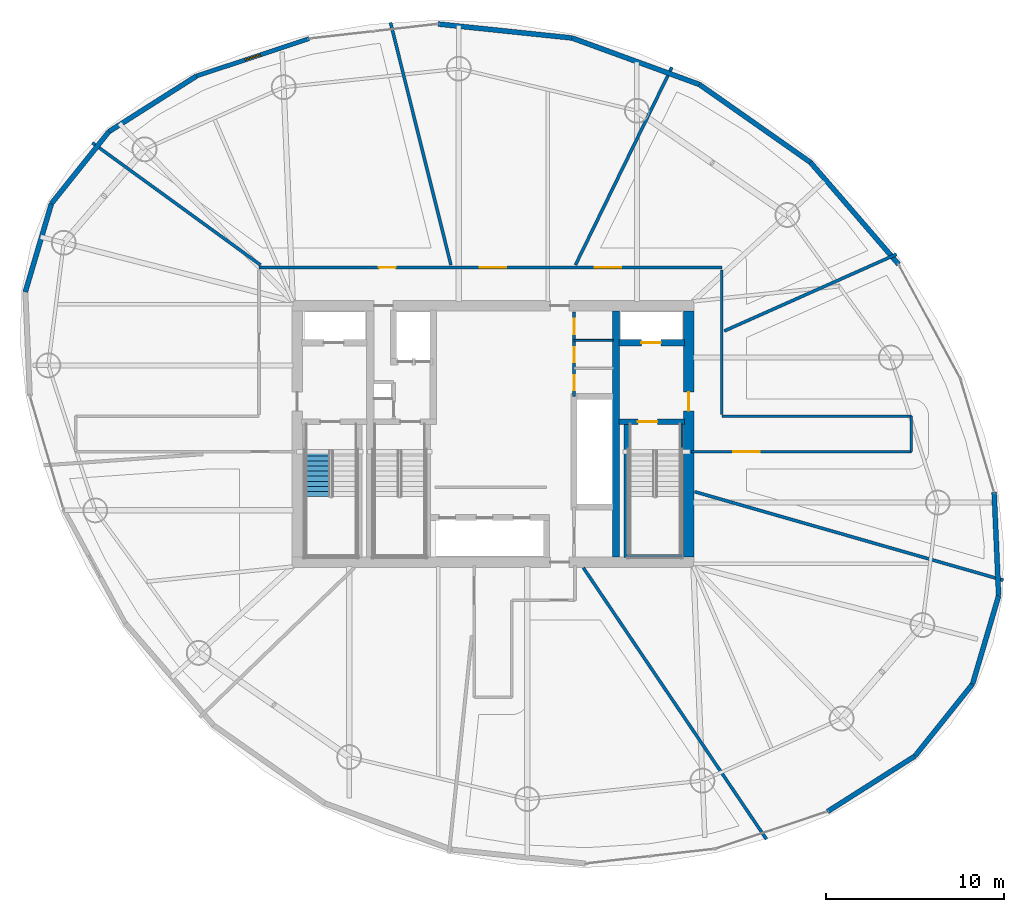
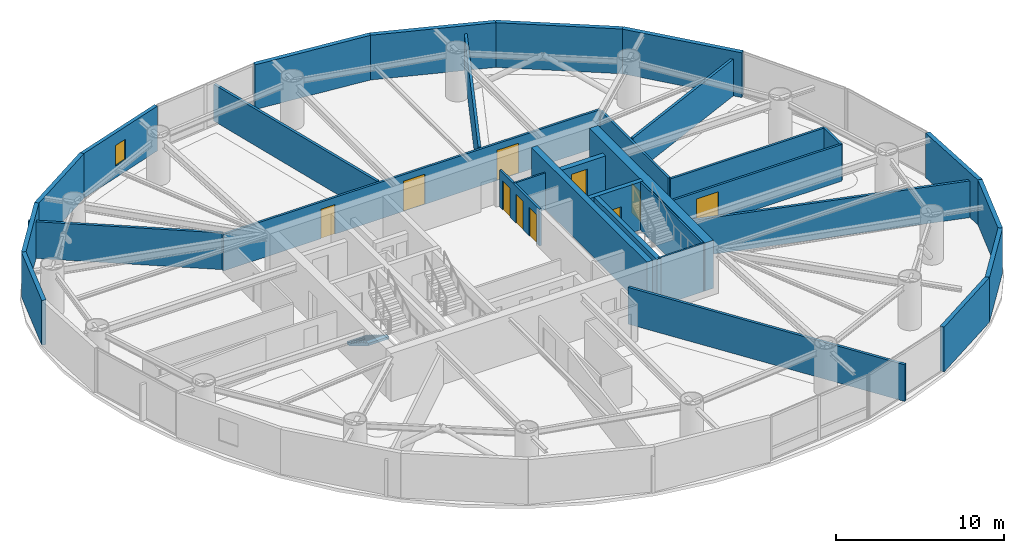
# One storey, part 18 of 22: 32 walls, 10 doors, 1 stair flight, 1 window, 11 openings, 1 element without a shape of its own.
"""IFC4 building model written with IfcOpenShell, lengths in metres."""

from ifc_helpers import new_model, si_unit, direction, frame, frame_2d, origin, place, context, subcontext, project, spatial, polyline, rectangle, outline, extrude, material, layer, layer_set, type_object, element, fill, aggregate, save


model = new_model("IFC4")

# Units and contexts
model_context = context("Model", 3, precision=1e-05, world=origin(), true_north=direction((0.0, 1.0)))
body_context = subcontext(model_context, "Body", "Model", "MODEL_VIEW")
ifc_project = project(units=[si_unit("LENGTHUNIT", "METRE"), si_unit("AREAUNIT", "SQUARE_METRE"), si_unit("VOLUMEUNIT", "CUBIC_METRE"), si_unit("PLANEANGLEUNIT", "RADIAN"), si_unit("MASSUNIT", "GRAM", prefix="KILO")], contexts=[model_context])

# Site, building, storey
site_placement = place(None, origin())
site = spatial("IfcSite", under=ifc_project, at=site_placement, CompositionType="ELEMENT")
building_placement = place(site_placement, origin())
building = spatial("IfcBuilding", under=site, at=building_placement, Name="Bramvorn Convention Spire", CompositionType="ELEMENT")
storey_placement = place(building_placement, frame((0.0, 0.0, 141.300048828125)))
storey = spatial("IfcBuildingStorey", under=building, at=storey_placement, Name="L35", CompositionType="ELEMENT", Elevation=141.300048828125)

# Wall, opening, door
ifc_material_1 = material(Name="Concrete C60/70", Category="concrete")
ifc_layer_1 = layer(ifc_material_1, 0.60009765625)
ifc_layer_set_1 = layer_set([ifc_layer_1], Name="Concrete C60/70 - WL-CORE-600")
wall_type_1 = type_object("IfcWallType", Name="WL-CORE-600", PredefinedType="SHEAR", material=ifc_layer_set_1)
wall_1_placement = place(storey_placement, frame((49.0, 19.10009765625, 0.0), z_axis=(0.0, 0.0, 1.0), x_axis=(0.0, 1.0, 0.0)))
wall_1 = element("IfcWall", 1, at=wall_1_placement, inside=storey, type_object=wall_type_1, Name="L35 East RC core shear wall", PredefinedType="SHEAR", context=body_context, shape_type="SweptSolid", body=[
    extrude(rectangle(XDim=13.7998046875, YDim=0.60009765625, at=frame_2d((6.89990234375, 0.0))), origin(), (0.0, 0.0, 1.0), 3.5),
])
opening_1_placement = place(wall_1_placement, frame((8.199951171875, 0.0, 0.0)))
opening_1 = element("IfcOpeningElement", 2, at=opening_1_placement, cuts=wall_1, Name="Opening DL-105", PredefinedType="OPENING", context=body_context, shape_type="SweptSolid", body=[
    extrude(rectangle(XDim=1.050048828125, YDim=2.14990234375, at=frame_2d((0.52490234375, 1.074951171875))), frame((0.0, 0.31005859375, 0.0), z_axis=(0.0, -1.0, 0.0), x_axis=(1.0, 0.0, 0.0)), (0.0, 0.0, 1.0), 0.6201171875),
])
ifc_material_2 = material(Name="Smoke-Sealed Fire Lobby Timber-Core Door", Category="wood")
door_type_1 = type_object("IfcDoorType", Name="DR-LOBBY-1050", OperationType="NOTDEFINED", PredefinedType="DOOR", material=ifc_material_2)
door_1_placement = place(opening_1_placement, origin())
door_1 = element("IfcDoor", 3, at=door_1_placement, inside=storey, type_object=door_type_1, Name="L35 East Firefighting Lobby corridor door", OperationType="SINGLE_SWING_LEFT", OverallHeight=2.14990234375, OverallWidth=1.050048828125, PredefinedType="DOOR", context=body_context, shape_type="SweptSolid", body=[
    extrude(rectangle(XDim=1.050048828125, YDim=2.14990234375, at=frame_2d((0.52490234375, 1.074951171875))), frame((0.0, 0.02490234375, 0.0), z_axis=(0.0, -1.0, 0.0), x_axis=(1.0, 0.0, 0.0)), (0.0, 0.0, 1.0), 0.050048828125),
])
fill(opening_1, door_1)

ifc_material_3 = material(Name="Concrete C50/60", Category="concrete")
ifc_layer_2 = layer(ifc_material_3, 0.35009765625)
ifc_layer_set_2 = layer_set([ifc_layer_2], Name="Concrete C50/60 - WL-CORE-INT-350")
wall_type_2 = type_object("IfcWallType", Name="WL-CORE-INT-350", PredefinedType="SHEAR", material=ifc_layer_set_2)
wall_2_placement = place(storey_placement, frame((45.080078125, 31.1201171875, 0.0), z_axis=(0.0, 0.0, 1.0), x_axis=(1.0, 0.0, 0.0)))
wall_2 = element("IfcWall", 4, at=wall_2_placement, inside=storey, type_object=wall_type_2, Name="L35 FE2 shaft front wall", PredefinedType="SHEAR", context=body_context, shape_type="SweptSolid", body=[
    extrude(rectangle(XDim=3.669921875, YDim=0.35009765625, at=frame_2d((1.8349609375, 0.0))), origin(), (0.0, 0.0, 1.0), 2.675048828125),
])
opening_2_placement = place(wall_2_placement, frame((1.25, 0.0, 0.0)))
opening_2 = element("IfcOpeningElement", 5, at=opening_2_placement, cuts=wall_2, Name="Opening LD-110", PredefinedType="OPENING", context=body_context, shape_type="SweptSolid", body=[
    extrude(rectangle(XDim=1.10009765625, YDim=2.14990234375, at=frame_2d((0.550048828125, 1.074951171875))), frame((0.0, 0.18505859375, 0.0), z_axis=(0.0, -1.0, 0.0), x_axis=(1.0, 0.0, 0.0)), (0.0, 0.0, 1.0), 0.3701171875),
])
ifc_material_4 = material(Name="Firefighting & Service Lift Sliding Landing Door", Category="steel")
door_type_2 = type_object("IfcDoorType", Name="DR-LIFT-LD-1100", OperationType="NOTDEFINED", PredefinedType="DOOR", material=ifc_material_4)
door_2_placement = place(opening_2_placement, origin())
door_2 = element("IfcDoor", 6, at=door_2_placement, inside=storey, type_object=door_type_2, Name="L35 Lift FE2 Sliding Landing Door", OperationType="SLIDING_TO_LEFT", OverallHeight=2.14990234375, OverallWidth=1.10009765625, PredefinedType="DOOR", context=body_context, shape_type="SweptSolid", body=[
    extrude(rectangle(XDim=1.10009765625, YDim=2.14990234375, at=frame_2d((0.550048828125, 1.074951171875))), frame((0.0, 0.02490234375, 0.0), z_axis=(0.0, -1.0, 0.0), x_axis=(1.0, 0.0, 0.0)), (0.0, 0.0, 1.0), 0.050048828125),
])
fill(opening_2, door_2)

# Walls
ifc_layer_3 = layer(ifc_material_1, 0.39990234375)
ifc_layer_set_3 = layer_set([ifc_layer_3], Name="Concrete C60/70 - WL-CORE-INT-400")
wall_type_3 = type_object("IfcWallType", Name="WL-CORE-INT-400", PredefinedType="SHEAR", material=ifc_layer_set_3)
wall_3_placement = place(storey_placement, frame((44.89990234375, 19.10009765625, 0.0), z_axis=(0.0, 0.0, 1.0), x_axis=(0.0, 1.0, 0.0)))
element("IfcWall", 7, at=wall_3_placement, inside=storey, type_object=wall_type_3, Name="L35 East internal core shear web", PredefinedType="SHEAR", context=body_context, shape_type="SweptSolid", body=[
    extrude(rectangle(XDim=13.7998046875, YDim=0.39990234375, at=frame_2d((6.89990234375, 0.0))), origin(), (0.0, 0.0, 1.0), 3.5),
])
ifc_material_5 = material(Name="Precast Concrete C40/50 with Bronze Terracotta Rainscreen", Category="masonry")
ifc_layer_4 = layer(ifc_material_5, 0.300048828125)
ifc_layer_set_4 = layer_set([ifc_layer_4], Name="Precast Concrete C40/50 with Bronze Terracotta Rainscreen - WL-EXT-BRONZE-300")
wall_type_4 = type_object("IfcWallType", Name="WL-EXT-BRONZE-300", PredefinedType="SOLIDWALL", material=ifc_layer_set_4)
wall_4_placement = place(storey_placement, frame((66.402099609375, 16.91064453125, 0.0), z_axis=(0.0, 0.0, 1.0), x_axis=(-0.283514780362, -0.958967866676, 0.0)))
element("IfcWall", 8, at=wall_4_placement, inside=storey, type_object=wall_type_4, Name="L35 expressed bronze Gothic lancet pier wall 01", PredefinedType="SOLIDWALL", context=body_context, shape_type="SweptSolid", body=[
    extrude(rectangle(XDim=5.174560546875, YDim=0.280029296875, at=frame_2d((2.58740234375, 0.0))), origin(), (0.0, 0.0, 1.0), 3.260009765625),
])
wall_5_placement = place(storey_placement, frame((66.14892578125, 22.727783203125, 0.0), z_axis=(0.0, 0.0, 1.0), x_axis=(0.043480894207, -0.999054258706, 0.0)))
element("IfcWall", 9, at=wall_5_placement, inside=storey, type_object=wall_type_4, Name="L35 expressed bronze Gothic lancet pier wall 02", PredefinedType="SOLIDWALL", context=body_context, shape_type="SweptSolid", body=[
    extrude(rectangle(XDim=5.82275390625, YDim=0.280029296875, at=frame_2d((2.911376953125, 0.0))), origin(), (0.0, 0.0, 1.0), 3.260009765625),
])
wall_6_placement = place(storey_placement, frame((55.830078125, 41.25537109375, 0.0), z_axis=(0.0, 0.0, 1.0), x_axis=(0.654081612585, -0.756423984336, 0.0)))
element("IfcWall", 10, at=wall_6_placement, inside=storey, type_object=wall_type_4, Name="L35 expressed bronze Gothic lancet pier wall 05", PredefinedType="SOLIDWALL", context=body_context, shape_type="SweptSolid", body=[
    extrude(rectangle(XDim=7.5693359375, YDim=0.280029296875, at=frame_2d((3.78466796875, 0.0))), origin(), (0.0, 0.0, 1.0), 3.260009765625),
])
for number, where, z_axis, x_axis, name in (
    (11, (49.593994140625, 45.6298828125, 0.0), (0.0, 0.0, 1.0), (0.81866084744, -0.574277299629, 0.0), "L35 expressed bronze Gothic lancet pier wall 06"),
    (12, (42.438232421875, 48.24169921875, 0.0), (0.0, 0.0, 1.0), (0.939382883035, -0.342869944821, 0.0), "L35 expressed bronze Gothic lancet pier wall 07"),
):
    element("IfcWall", number, at=place(storey_placement, frame(where, z_axis=z_axis, x_axis=x_axis)), inside=storey, type_object=wall_type_4, Name=name, PredefinedType="SOLIDWALL", context=body_context, shape_type="SweptSolid", body=[
        extrude(rectangle(XDim=7.617431640625, YDim=0.280029296875, at=frame_2d((3.80859375, 0.0))), origin(), (0.0, 0.0, 1.0), 3.260009765625),
    ])
wall_7_placement = place(storey_placement, frame((34.909912109375, 49.0263671875, 0.0), z_axis=(0.0, 0.0, 1.0), x_axis=(0.994612036357, -0.103667242342, 0.0)))
element("IfcWall", 13, at=wall_7_placement, inside=storey, type_object=wall_type_4, Name="L35 expressed bronze Gothic lancet pier wall 08", PredefinedType="SOLIDWALL", context=body_context, shape_type="SweptSolid", body=[
    extrude(rectangle(XDim=7.569091796875, YDim=0.280029296875, at=frame_2d((3.78466796875, 0.0))), origin(), (0.0, 0.0, 1.0), 3.260009765625),
])

# Wall, opening, window
wall_8_placement = place(storey_placement, frame((21.3388671875, 46.104248046875, 0.0), z_axis=(0.0, 0.0, 1.0), x_axis=(0.949074506759, 0.315051711024, 0.0)))
wall_8 = element("IfcWall", 14, at=wall_8_placement, inside=storey, type_object=wall_type_4, Name="L35 bronze ceramic-frit spandrel & operable window bay 10", PredefinedType="SOLIDWALL", context=body_context, shape_type="SweptSolid", body=[
    extrude(rectangle(XDim=6.6650390625, YDim=0.239990234375, at=frame_2d((3.33251953125, 0.0))), origin(), (0.0, 0.0, 1.0), 3.260009765625),
])
opening_3_placement = place(wall_8_placement, frame((2.882568359375, 0.0, 0.85009765625)))
opening_3 = element("IfcOpeningElement", 15, at=opening_3_placement, cuts=wall_8, Name="Opening WN06", PredefinedType="OPENING", context=body_context, shape_type="SweptSolid", body=[
    extrude(rectangle(XDim=0.89990234375, YDim=1.5, at=frame_2d((0.449951171875, 0.75))), frame((0.0, 0.1298828125, 0.0), z_axis=(0.0, -1.0, 0.0), x_axis=(1.0, 0.0, 0.0)), (0.0, 0.0, 1.0), 0.260009765625),
])
ifc_material_6 = material(Name="Thermally Broken Bronze Aluminium & Triple Low-E Glass", Category="aluminium")
window_type = type_object("IfcWindowType", Name="WN-OP-0900X1500", PartitioningType="SINGLE_PANEL", PredefinedType="WINDOW", material=ifc_material_6)
window_placement = place(opening_3_placement, origin())
window = element("IfcWindow", 16, at=window_placement, inside=storey, type_object=window_type, Name="L35 operable parallel-vent window 10", OverallHeight=1.5, OverallWidth=0.89990234375, PartitioningType="SINGLE_PANEL", PredefinedType="WINDOW", context=body_context, shape_type="SweptSolid", body=[
    extrude(rectangle(XDim=0.89990234375, YDim=1.5, at=frame_2d((0.449951171875, 0.75))), frame((0.0, 0.030029296875, 0.0), z_axis=(0.0, -1.0, 0.0), x_axis=(1.0, 0.0, 0.0)), (0.0, 0.0, 1.0), 0.06005859375),
])
fill(opening_3, window)

# Walls
wall_9_placement = place(storey_placement, frame((16.4228515625, 42.983642578125, 0.0), z_axis=(0.0, 0.0, 1.0), x_axis=(0.844265211989, 0.535925602883, 0.0)))
element("IfcWall", 17, at=wall_9_placement, inside=storey, type_object=wall_type_4, Name="L35 expressed bronze Gothic lancet pier wall 11", PredefinedType="SOLIDWALL", context=body_context, shape_type="SweptSolid", body=[
    extrude(rectangle(XDim=5.82275390625, YDim=0.280029296875, at=frame_2d((2.911376953125, 0.0))), origin(), (0.0, 0.0, 1.0), 3.260009765625),
])
for number, where, z_axis, x_axis, name in (
    (18, (13.192626953125, 38.94140625, 0.0), (0.0, 0.0, 1.0), (0.624274915654, 0.781204729687, 0.0), "L35 expressed bronze Gothic lancet pier wall 12"),
    (19, (11.7255859375, 33.9794921875, 0.0), (0.0, 0.0, 1.0), (0.283527608749, 0.958964073924, 0.0), "L35 expressed bronze Gothic lancet pier wall 13"),
):
    element("IfcWall", number, at=place(storey_placement, frame(where, z_axis=z_axis, x_axis=x_axis)), inside=storey, type_object=wall_type_4, Name=name, PredefinedType="SOLIDWALL", context=body_context, shape_type="SweptSolid", body=[
        extrude(rectangle(XDim=5.17431640625, YDim=0.280029296875, at=frame_2d((2.587158203125, 0.0))), origin(), (0.0, 0.0, 1.0), 3.260009765625),
    ])
wall_10_placement = place(storey_placement, frame((61.704833984375, 7.90625, 0.0), z_axis=(0.0, 0.0, 1.0), x_axis=(-0.844253168904, -0.535944574369, 0.0)))
element("IfcWall", 20, at=wall_10_placement, inside=storey, type_object=wall_type_4, Name="L35 expressed bronze Gothic lancet pier wall 23", PredefinedType="SOLIDWALL", context=body_context, shape_type="SweptSolid", body=[
    extrude(rectangle(XDim=5.822509765625, YDim=0.280029296875, at=frame_2d((2.9111328125, 0.0))), origin(), (0.0, 0.0, 1.0), 3.260009765625),
])
wall_11_placement = place(storey_placement, frame((64.93505859375, 11.948486328125, 0.0), z_axis=(0.0, 0.0, 1.0), x_axis=(-0.624274915654, -0.781204729687, 0.0)))
element("IfcWall", 21, at=wall_11_placement, inside=storey, type_object=wall_type_4, Name="L35 expressed bronze Gothic lancet pier wall 24", PredefinedType="SOLIDWALL", context=body_context, shape_type="SweptSolid", body=[
    extrude(rectangle(XDim=5.17431640625, YDim=0.280029296875, at=frame_2d((2.587158203125, 0.0))), origin(), (0.0, 0.0, 1.0), 3.260009765625),
])
ifc_material_7 = material(Name="Lightweight En-Suite & Wet-Wall Partition", Category="gypsum")
ifc_layer_5 = layer(ifc_material_7, 0.110107421875)
ifc_layer_set_5 = layer_set([ifc_layer_5], Name="Lightweight En-Suite & Wet-Wall Partition - WL-PART-110")
wall_type_5 = type_object("IfcWallType", Name="WL-PART-110", PredefinedType="PARTITIONING", material=ifc_layer_set_5)
wall_12_placement = place(storey_placement, frame((42.550048828125, 31.260009765625, 0.0), z_axis=(0.0, 0.0, 1.0), x_axis=(1.0, 0.0, 0.0)))
element("IfcWall", 22, at=wall_12_placement, inside=storey, type_object=wall_type_5, Name="L35 KC NE div 2", PredefinedType="PARTITIONING", context=body_context, shape_type="SweptSolid", body=[
    extrude(rectangle(XDim=2.199951171875, YDim=0.110107421875, at=frame_2d((1.10009765625, 0.0))), origin(), (0.0, 0.0, 1.0), 2.675048828125),
])

# Wall, openings, doors
ifc_material_8 = material(Name="Acoustic Metal-Stud Tenant/Corridor Partition", Category="gypsum")
ifc_layer_6 = layer(ifc_material_8, 0.14990234375)
ifc_layer_set_6 = layer_set([ifc_layer_6], Name="Acoustic Metal-Stud Tenant/Corridor Partition - WL-PART-150")
wall_type_6 = type_object("IfcWallType", Name="WL-PART-150", PredefinedType="PARTITIONING", material=ifc_layer_set_6)
wall_13_placement = place(storey_placement, frame((42.550048828125, 28.10009765625, 0.0), z_axis=(0.0, 0.0, 1.0), x_axis=(0.0, 1.0, 0.0)))
wall_13 = element("IfcWall", 23, at=wall_13_placement, inside=storey, type_object=wall_type_6, Name="L35 KC NE wall", PredefinedType="PARTITIONING", context=body_context, shape_type="SweptSolid", body=[
    extrude(rectangle(XDim=4.75, YDim=0.14990234375, at=frame_2d((2.375, 0.0))), origin(), (0.0, 0.0, 1.0), 2.675048828125),
])
opening_4_placement = place(wall_13_placement, frame((0.35009765625, 0.0, 0.0)))
opening_4 = element("IfcOpeningElement", 24, at=opening_4_placement, cuts=wall_13, Name="Opening DC-085", PredefinedType="OPENING", context=body_context, shape_type="SweptSolid", body=[
    extrude(rectangle(XDim=0.85009765625, YDim=2.10009765625, at=frame_2d((0.425048828125, 1.050048828125))), frame((0.0, 0.0849609375, 0.0), z_axis=(0.0, -1.0, 0.0), x_axis=(1.0, 0.0, 0.0)), (0.0, 0.0, 1.0), 0.169921875),
])
opening_5_placement = place(wall_13_placement, frame((1.929931640625, 0.0, 0.0)))
opening_5 = element("IfcOpeningElement", 25, at=opening_5_placement, cuts=wall_13, Name="Opening DC-085", PredefinedType="OPENING", context=body_context, shape_type="SweptSolid", body=[
    extrude(rectangle(XDim=0.85009765625, YDim=2.10009765625, at=frame_2d((0.425048828125, 1.050048828125))), frame((0.0, 0.0849609375, 0.0), z_axis=(0.0, -1.0, 0.0), x_axis=(1.0, 0.0, 0.0)), (0.0, 0.0, 1.0), 0.169921875),
])
opening_6_placement = place(wall_13_placement, frame((3.510009765625, 0.0, 0.0)))
opening_6 = element("IfcOpeningElement", 26, at=opening_6_placement, cuts=wall_13, Name="Opening DC-085", PredefinedType="OPENING", context=body_context, shape_type="SweptSolid", body=[
    extrude(rectangle(XDim=0.85009765625, YDim=2.10009765625, at=frame_2d((0.425048828125, 1.050048828125))), frame((0.0, 0.0849609375, 0.0), z_axis=(0.0, -1.0, 0.0), x_axis=(1.0, 0.0, 0.0)), (0.0, 0.0, 1.0), 0.169921875),
])
ifc_material_9 = material(Name="Fire-Rated Core Washroom & IDF Door", Category="wood")
door_type_3 = type_object("IfcDoorType", Name="DR-CORE-850", OperationType="NOTDEFINED", PredefinedType="DOOR", material=ifc_material_9)
door_3_placement = place(opening_4_placement, origin())
door_3 = element("IfcDoor", 27, at=door_3_placement, inside=storey, type_object=door_type_3, Name="L35 Accessible Core Restroom door", OperationType="SINGLE_SWING_LEFT", OverallHeight=2.10009765625, OverallWidth=0.85009765625, PredefinedType="DOOR", context=body_context, shape_type="SweptSolid", body=[
    extrude(rectangle(XDim=0.85009765625, YDim=2.10009765625, at=frame_2d((0.425048828125, 1.050048828125))), frame((0.0, 0.02490234375, 0.0), z_axis=(0.0, -1.0, 0.0), x_axis=(1.0, 0.0, 0.0)), (0.0, 0.0, 1.0), 0.050048828125),
])
fill(opening_4, door_3)
door_4_placement = place(opening_5_placement, origin())
door_4 = element("IfcDoor", 28, at=door_4_placement, inside=storey, type_object=door_type_3, Name="L35 Tenant Pantry & Copy Centre door", OperationType="SINGLE_SWING_LEFT", OverallHeight=2.10009765625, OverallWidth=0.85009765625, PredefinedType="DOOR", context=body_context, shape_type="SweptSolid", body=[
    extrude(rectangle(XDim=0.85009765625, YDim=2.10009765625, at=frame_2d((0.425048828125, 1.050048828125))), frame((0.0, 0.02490234375, 0.0), z_axis=(0.0, -1.0, 0.0), x_axis=(1.0, 0.0, 0.0)), (0.0, 0.0, 1.0), 0.050048828125),
])
fill(opening_5, door_4)
door_5_placement = place(opening_6_placement, origin())
door_5 = element("IfcDoor", 29, at=door_5_placement, inside=storey, type_object=door_type_3, Name="L35 Core Comms Closet door", OperationType="SINGLE_SWING_LEFT", OverallHeight=2.10009765625, OverallWidth=0.85009765625, PredefinedType="DOOR", context=body_context, shape_type="SweptSolid", body=[
    extrude(rectangle(XDim=0.85009765625, YDim=2.10009765625, at=frame_2d((0.425048828125, 1.050048828125))), frame((0.0, 0.02490234375, 0.0), z_axis=(0.0, -1.0, 0.0), x_axis=(1.0, 0.0, 0.0)), (0.0, 0.0, 1.0), 0.050048828125),
])
fill(opening_6, door_5)

wall_14_placement = place(storey_placement, frame((24.85009765625, 35.35009765625, 0.0), z_axis=(0.0, 0.0, 1.0), x_axis=(1.0, 0.0, 0.0)))
wall_14 = element("IfcWall", 30, at=wall_14_placement, inside=storey, type_object=wall_type_6, Name="L35 North gallery wall", PredefinedType="PARTITIONING", context=body_context, shape_type="SweptSolid", body=[
    extrude(rectangle(XDim=26.0, YDim=0.14990234375, at=frame_2d((13.0, 0.0))), origin(), (0.0, 0.0, 1.0), 2.675048828125),
])
opening_7_placement = place(wall_14_placement, frame((18.8544921875, 0.0, 0.0)))
opening_7 = element("IfcOpeningElement", 31, at=opening_7_placement, cuts=wall_14, Name="Opening DC-150", PredefinedType="OPENING", context=body_context, shape_type="SweptSolid", body=[
    extrude(rectangle(XDim=1.5, YDim=2.199951171875, at=frame_2d((0.75, 1.10009765625))), frame((0.0, 0.0849609375, 0.0), z_axis=(0.0, -1.0, 0.0), x_axis=(1.0, 0.0, 0.0)), (0.0, 0.0, 1.0), 0.169921875),
])
opening_8_placement = place(wall_14_placement, frame((12.393310546875, 0.0, 0.0)))
opening_8 = element("IfcOpeningElement", 32, at=opening_8_placement, cuts=wall_14, Name="Opening DC-150", PredefinedType="OPENING", context=body_context, shape_type="SweptSolid", body=[
    extrude(rectangle(XDim=1.5, YDim=2.199951171875, at=frame_2d((0.75, 1.10009765625))), frame((0.0, 0.0849609375, 0.0), z_axis=(0.0, -1.0, 0.0), x_axis=(1.0, 0.0, 0.0)), (0.0, 0.0, 1.0), 0.169921875),
])
opening_9_placement = place(wall_14_placement, frame((6.73046875, 0.0, 0.0)))
opening_9 = element("IfcOpeningElement", 33, at=opening_9_placement, cuts=wall_14, Name="Opening DH-095", PredefinedType="OPENING", context=body_context, shape_type="SweptSolid", body=[
    extrude(rectangle(XDim=0.949951171875, YDim=2.14990234375, at=frame_2d((0.47509765625, 1.074951171875))), frame((0.0, 0.0849609375, 0.0), z_axis=(0.0, -1.0, 0.0), x_axis=(1.0, 0.0, 0.0)), (0.0, 0.0, 1.0), 0.169921875),
])
ifc_material_10 = material(Name="Double-Leaf Smoke-Control Corridor Door", Category="wood")
door_type_4 = type_object("IfcDoorType", Name="DR-COR-1500", OperationType="NOTDEFINED", PredefinedType="DOOR", material=ifc_material_10)
door_6_placement = place(opening_7_placement, origin())
door_6 = element("IfcDoor", 34, at=door_6_placement, inside=storey, type_object=door_type_4, Name="L35 Executive Dining Salon 1 1 door", OperationType="DOUBLE_DOOR_SINGLE_SWING", OverallHeight=2.199951171875, OverallWidth=1.5, PredefinedType="DOOR", context=body_context, shape_type="SweptSolid", body=[
    extrude(rectangle(XDim=1.5, YDim=2.199951171875, at=frame_2d((0.75, 1.10009765625))), frame((0.0, 0.02490234375, 0.0), z_axis=(0.0, -1.0, 0.0), x_axis=(1.0, 0.0, 0.0)), (0.0, 0.0, 1.0), 0.050048828125),
])
fill(opening_7, door_6)
door_7_placement = place(opening_8_placement, origin())
door_7 = element("IfcDoor", 35, at=door_7_placement, inside=storey, type_object=door_type_4, Name="L35 Executive Dining Salon 2 2 door", OperationType="DOUBLE_DOOR_SINGLE_SWING", OverallHeight=2.199951171875, OverallWidth=1.5, PredefinedType="DOOR", context=body_context, shape_type="SweptSolid", body=[
    extrude(rectangle(XDim=1.5, YDim=2.199951171875, at=frame_2d((0.75, 1.10009765625))), frame((0.0, 0.02490234375, 0.0), z_axis=(0.0, -1.0, 0.0), x_axis=(1.0, 0.0, 0.0)), (0.0, 0.0, 1.0), 0.050048828125),
])
fill(opening_8, door_7)
ifc_material_11 = material(Name="Solid-Core Acoustic Guestroom Entry Door", Category="wood")
door_type_5 = type_object("IfcDoorType", Name="DR-HOTEL-950", OperationType="NOTDEFINED", PredefinedType="DOOR", material=ifc_material_11)
door_8_placement = place(opening_9_placement, origin())
door_8 = element("IfcDoor", 36, at=door_8_placement, inside=storey, type_object=door_type_5, Name="L35 Butler Catering Kitchen 3 door", OperationType="SINGLE_SWING_LEFT", OverallHeight=2.14990234375, OverallWidth=0.949951171875, PredefinedType="DOOR", context=body_context, shape_type="SweptSolid", body=[
    extrude(rectangle(XDim=0.949951171875, YDim=2.14990234375, at=frame_2d((0.47509765625, 1.074951171875))), frame((0.0, 0.02490234375, 0.0), z_axis=(0.0, -1.0, 0.0), x_axis=(1.0, 0.0, 0.0)), (0.0, 0.0, 1.0), 0.050048828125),
])
fill(opening_9, door_8)

# Walls
wall_15_placement = place(storey_placement, frame((50.85009765625, 27.080078125, 0.0), z_axis=(0.0, 0.0, 1.0), x_axis=(0.0, 1.0, 0.0)))
element("IfcWall", 37, at=wall_15_placement, inside=storey, type_object=wall_type_6, Name="L35 NE gallery cheek", PredefinedType="PARTITIONING", context=body_context, shape_type="SweptSolid", body=[
    extrude(rectangle(XDim=8.119873046875, YDim=0.14990234375, at=frame_2d((4.06005859375, 0.0))), origin(), (0.0, 0.0, 1.0), 2.675048828125),
])
wall_16_placement = place(storey_placement, frame((50.85009765625, 27.0, 0.0), z_axis=(0.0, 0.0, 1.0), x_axis=(1.0, 0.0, 0.0)))
element("IfcWall", 38, at=wall_16_placement, inside=storey, type_object=wall_type_6, Name="L35 East wing spine north wall", PredefinedType="PARTITIONING", context=body_context, shape_type="SweptSolid", body=[
    extrude(rectangle(XDim=10.64990234375, YDim=0.14990234375, at=frame_2d((5.324951171875, 0.0))), origin(), (0.0, 0.0, 1.0), 2.675048828125),
])

# Wall, opening, door
wall_17_placement = place(storey_placement, frame((49.14990234375, 25.0, 0.0), z_axis=(0.0, 0.0, 1.0), x_axis=(1.0, 0.0, 0.0)))
wall_17 = element("IfcWall", 39, at=wall_17_placement, inside=storey, type_object=wall_type_6, Name="L35 East wing spine south wall", PredefinedType="PARTITIONING", context=body_context, shape_type="SweptSolid", body=[
    extrude(rectangle(XDim=12.35009765625, YDim=0.14990234375, at=frame_2d((6.175048828125, 0.0))), origin(), (0.0, 0.0, 1.0), 2.675048828125),
])
opening_10_placement = place(wall_17_placement, frame((2.33740234375, 0.0, 0.0)))
opening_10 = element("IfcOpeningElement", 40, at=opening_10_placement, cuts=wall_17, Name="Opening DC-150", PredefinedType="OPENING", context=body_context, shape_type="SweptSolid", body=[
    extrude(rectangle(XDim=1.5, YDim=2.199951171875, at=frame_2d((0.75, 1.10009765625))), frame((0.0, 0.0849609375, 0.0), z_axis=(0.0, -1.0, 0.0), x_axis=(1.0, 0.0, 0.0)), (0.0, 0.0, 1.0), 0.169921875),
])
door_9_placement = place(opening_10_placement, origin())
door_9 = element("IfcDoor", 41, at=door_9_placement, inside=storey, type_object=door_type_4, Name="L35 Executive Dining Salon 2 9 door", OperationType="DOUBLE_DOOR_SINGLE_SWING", OverallHeight=2.199951171875, OverallWidth=1.5, PredefinedType="DOOR", context=body_context, shape_type="SweptSolid", body=[
    extrude(rectangle(XDim=1.5, YDim=2.199951171875, at=frame_2d((0.75, 1.10009765625))), frame((0.0, 0.02490234375, 0.0), z_axis=(0.0, -1.0, 0.0), x_axis=(1.0, 0.0, 0.0)), (0.0, 0.0, 1.0), 0.050048828125),
])
fill(opening_10, door_9)

# Walls
wall_18_placement = place(storey_placement, frame((61.5, 25.0, 0.0), z_axis=(0.0, 0.0, 1.0), x_axis=(0.0, 1.0, 0.0)))
element("IfcWall", 42, at=wall_18_placement, inside=storey, type_object=wall_type_6, Name="L35 East wing spine end wall", PredefinedType="PARTITIONING", context=body_context, shape_type="SweptSolid", body=[
    extrude(rectangle(XDim=2.0, YDim=0.14990234375, at=frame_2d((1.0, 0.0))), origin(), (0.0, 0.0, 1.0), 2.675048828125),
])
ifc_material_12 = material(Name="Double-Stud Acoustic Hotel/Suite Partition", Category="gypsum")
ifc_layer_7 = layer(ifc_material_12, 0.175048828125)
ifc_layer_set_7 = layer_set([ifc_layer_7], Name="Double-Stud Acoustic Hotel/Suite Partition - WL-PART-175")
wall_type_7 = type_object("IfcWallType", Name="WL-PART-175", PredefinedType="PARTITIONING", material=ifc_layer_set_7)
wall_19_placement = place(storey_placement, frame((50.989990234375, 31.783447265625, 0.0), z_axis=(0.0, 0.0, 1.0), x_axis=(0.913539675271, 0.406749630246, 0.0)))
element("IfcWall", 43, at=wall_19_placement, inside=storey, type_object=wall_type_7, Name="L35 Tenant suite partition 1", PredefinedType="PARTITIONING", context=body_context, shape_type="SweptSolid", body=[
    extrude(rectangle(XDim=10.5986328125, YDim=0.175048828125, at=frame_2d((5.29931640625, 0.0))), origin(), (0.0, 0.0, 1.0), 2.675048828125),
])
wall_20_placement = place(storey_placement, frame((42.628662109375, 35.489990234375, 0.0), z_axis=(0.0, 0.0, 1.0), x_axis=(0.438370339272, 0.898794440151, 0.0)))
element("IfcWall", 44, at=wall_20_placement, inside=storey, type_object=wall_type_7, Name="L35 Tenant suite partition 2", PredefinedType="PARTITIONING", context=body_context, shape_type="SweptSolid", body=[
    extrude(rectangle(XDim=12.365478515625, YDim=0.175048828125, at=frame_2d((6.1826171875, 0.0))), origin(), (0.0, 0.0, 1.0), 2.675048828125),
])
wall_21_placement = place(storey_placement, frame((35.6337890625, 35.489990234375, 0.0), z_axis=(0.0, 0.0, 1.0), x_axis=(-0.241917794152, 0.970296748873, 0.0)))
element("IfcWall", 45, at=wall_21_placement, inside=storey, type_object=wall_type_7, Name="L35 Tenant suite partition 3", PredefinedType="PARTITIONING", context=body_context, shape_type="SweptSolid", body=[
    extrude(rectangle(XDim=14.040771484375, YDim=0.175048828125, at=frame_2d((7.0205078125, 0.0))), origin(), (0.0, 0.0, 1.0), 2.675048828125),
])
wall_22_placement = place(storey_placement, frame((24.93798828125, 35.489990234375, 0.0), z_axis=(0.0, 0.0, 1.0), x_axis=(-0.80901505235, 0.587787925251, 0.0)))
element("IfcWall", 46, at=wall_22_placement, inside=storey, type_object=wall_type_7, Name="L35 Tenant suite partition 4", PredefinedType="PARTITIONING", context=body_context, shape_type="SweptSolid", body=[
    extrude(rectangle(XDim=11.690185546875, YDim=0.175048828125, at=frame_2d((5.84521484375, 0.0))), origin(), (0.0, 0.0, 1.0), 2.675048828125),
])
wall_23_placement = place(storey_placement, frame((43.072265625, 18.47998046875, 0.0), z_axis=(0.0, 0.0, 1.0), x_axis=(0.559193636848, -0.829037077885, 0.0)))
element("IfcWall", 47, at=wall_23_placement, inside=storey, type_object=wall_type_7, Name="L35 Tenant suite partition 8", PredefinedType="PARTITIONING", context=body_context, shape_type="SweptSolid", body=[
    extrude(rectangle(XDim=18.398193359375, YDim=0.175048828125, at=frame_2d((9.19921875, 0.0))), origin(), (0.0, 0.0, 1.0), 2.675048828125),
])
wall_24_placement = place(storey_placement, frame((49.320068359375, 22.75390625, 0.0), z_axis=(0.0, 0.0, 1.0), x_axis=(0.961265285636, -0.275624836744, 0.0)))
element("IfcWall", 48, at=wall_24_placement, inside=storey, type_object=wall_type_7, Name="L35 Tenant suite partition 9", PredefinedType="PARTITIONING", context=body_context, shape_type="SweptSolid", body=[
    extrude(rectangle(XDim=18.052001953125, YDim=0.175048828125, at=frame_2d((9.02587890625, 0.0))), origin(), (0.0, 0.0, 1.0), 2.675048828125),
])

# Wall, opening, door
ifc_layer_8 = layer(ifc_material_3, 0.300048828125)
ifc_layer_set_8 = layer_set([ifc_layer_8], Name="Concrete C50/60 - WL-POD-STAIR-300")
wall_type_8 = type_object("IfcWallType", Name="WL-POD-STAIR-300", PredefinedType="SHEAR", material=ifc_layer_set_8)
wall_25_placement = place(storey_placement, frame((45.080078125, 26.68994140625, 0.0), z_axis=(0.0, 0.0, 1.0), x_axis=(1.0, 0.0, 0.0)))
wall_25 = element("IfcWall", 49, at=wall_25_placement, inside=storey, type_object=wall_type_8, Name="L35 ST2 north fire wall", PredefinedType="SHEAR", context=body_context, shape_type="SweptSolid", body=[
    extrude(rectangle(XDim=3.669921875, YDim=0.300048828125, at=frame_2d((1.8349609375, 0.0))), origin(), (0.0, 0.0, 1.0), 3.5),
])
opening_11_placement = place(wall_25_placement, frame((1.050048828125, 0.0, 0.0)))
opening_11 = element("IfcOpeningElement", 50, at=opening_11_placement, cuts=wall_25, Name="Opening DS-110", PredefinedType="OPENING", context=body_context, shape_type="SweptSolid", body=[
    extrude(rectangle(XDim=1.10009765625, YDim=2.14990234375, at=frame_2d((0.550048828125, 1.074951171875))), frame((0.0, 0.159912109375, 0.0), z_axis=(0.0, -1.0, 0.0), x_axis=(1.0, 0.0, 0.0)), (0.0, 0.0, 1.0), 0.320068359375),
])
ifc_material_13 = material(Name="Fire-Rated Hollow Steel Stairwell Door", Category="steel")
door_type_6 = type_object("IfcDoorType", Name="DR-STAIR-1100", OperationType="NOTDEFINED", PredefinedType="DOOR", material=ifc_material_13)
door_10_placement = place(opening_11_placement, origin())
door_10 = element("IfcDoor", 51, at=door_10_placement, inside=storey, type_object=door_type_6, Name="L35 Stair ST2 fire door", OperationType="SINGLE_SWING_RIGHT", OverallHeight=2.14990234375, OverallWidth=1.10009765625, PredefinedType="DOOR", context=body_context, shape_type="SweptSolid", body=[
    extrude(rectangle(XDim=1.10009765625, YDim=2.14990234375, at=frame_2d((0.550048828125, 1.074951171875))), frame((0.0, 0.02490234375, 0.0), z_axis=(0.0, -1.0, 0.0), x_axis=(1.0, 0.0, 0.0)), (0.0, 0.0, 1.0), 0.050048828125),
])
fill(opening_11, door_10)

# Walls
wall_26_placement = place(storey_placement, frame((45.510009765625, 19.050048828125, 0.0), z_axis=(0.0, 0.0, 1.0), x_axis=(0.0, 1.0, 0.0)))
element("IfcWall", 52, at=wall_26_placement, inside=storey, type_object=wall_type_8, Name="L35 ST2 west bearing wall", PredefinedType="SHEAR", context=body_context, shape_type="SweptSolid", body=[
    extrude(rectangle(XDim=7.5, YDim=0.300048828125, at=frame_2d((3.75, 0.0))), origin(), (0.0, 0.0, 1.0), 3.5),
])
ifc_layer_9 = layer(ifc_material_3, 0.1201171875)
ifc_layer_set_9 = layer_set([ifc_layer_9], Name="Concrete C50/60 - WL-STAIR-RC-120")
wall_type_9 = type_object("IfcWallType", Name="WL-STAIR-RC-120", PredefinedType="SHEAR", material=ifc_layer_set_9)
wall_27_placement = place(storey_placement, frame((48.60498046875, 19.10009765625, 0.0), z_axis=(0.0, 0.0, 1.0), x_axis=(0.0, 1.0, 0.0)))
element("IfcWall", 53, at=wall_27_placement, inside=storey, type_object=wall_type_9, Name="L35 ST2 east bearing shear wall", PredefinedType="SHEAR", context=body_context, shape_type="SweptSolid", body=[
    extrude(rectangle(XDim=7.449951171875, YDim=0.1201171875, at=frame_2d((3.72509765625, 0.0))), origin(), (0.0, 0.0, 1.0), 3.5),
])
wall_28_placement = place(storey_placement, frame((45.510009765625, 19.159912109375, 0.0), z_axis=(0.0, 0.0, 1.0), x_axis=(1.0, 0.0, 0.0)))
element("IfcWall", 54, at=wall_28_placement, inside=storey, type_object=wall_type_9, Name="L35 ST2 south bearing shear wall", PredefinedType="SHEAR", context=body_context, shape_type="SweptSolid", body=[
    extrude(rectangle(XDim=3.094970703125, YDim=0.1201171875, at=frame_2d((1.54736328125, 0.0))), origin(), (0.0, 0.0, 1.0), 3.5),
])

# Stair, stair flight
ifc_material_14 = material(Name="Concrete C40/50 Precast Stair", Category="concrete")
stair_type = type_object("IfcStairType", Name="ST-TOWER-1550", PredefinedType="HALF_TURN_STAIR", material=ifc_material_14)
stair_placement = place(storey_placement, origin())
stair = element("IfcStair", 55, at=stair_placement, inside=storey, type_object=stair_type, Name="L35 Protected Exit Stair ST1", PredefinedType="HALF_TURN_STAIR")
ifc_material_15 = material(Name="Concrete C40/50 Precast Stair Flight", Category="concrete")
stair_flight_type = type_object("IfcStairFlightType", Name="STF-TOWER-1550", PredefinedType="STRAIGHT", material=ifc_material_15)
stair_flight_placement = place(storey_placement, frame((28.155029296875, 25.050048828125, 0.0), z_axis=(0.0, 0.0, 1.0), x_axis=(0.0, -1.0, 0.0)))
stair_flight = element("IfcStairFlight", 56, at=stair_flight_placement, type_object=stair_flight_type, Name="ST1 flight 1", NumberOfRisers=10, NumberOfTreads=9, PredefinedType="STRAIGHT", RiserHeight=0.175, TreadLength=0.285, context=body_context, shape_type="SweptSolid", body=[
    extrude(outline(polyline([(0.0, 0.0), (0.0, 0.175048828125), (0.284912109375, 0.175048828125), (0.284912109375, 0.35009765625), (0.570068359375, 0.35009765625), (0.570068359375, 0.52490234375), (0.85498046875, 0.52490234375), (0.85498046875, 0.699951171875), (1.139892578125, 0.699951171875), (1.139892578125, 0.875), (1.425048828125, 0.875), (1.425048828125, 1.050048828125), (1.7099609375, 1.050048828125), (1.7099609375, 1.22509765625), (1.9951171875, 1.22509765625), (1.9951171875, 1.39990234375), (2.280029296875, 1.39990234375), (2.280029296875, 1.574951171875), (2.56494140625, 1.574951171875), (2.56494140625, 1.75), (2.56494140625, 1.399169921875), (0.286376953125, 0.0), (0.0, 0.0)])), frame((0.0, 0.705078125, 0.0), z_axis=(0.0, -1.0, 0.0), x_axis=(1.0, 0.0, 0.0)), (0.0, 0.0, 1.0), 1.409912109375),
])
aggregate(stair, [stair_flight])

save(model, "model.ifc")
